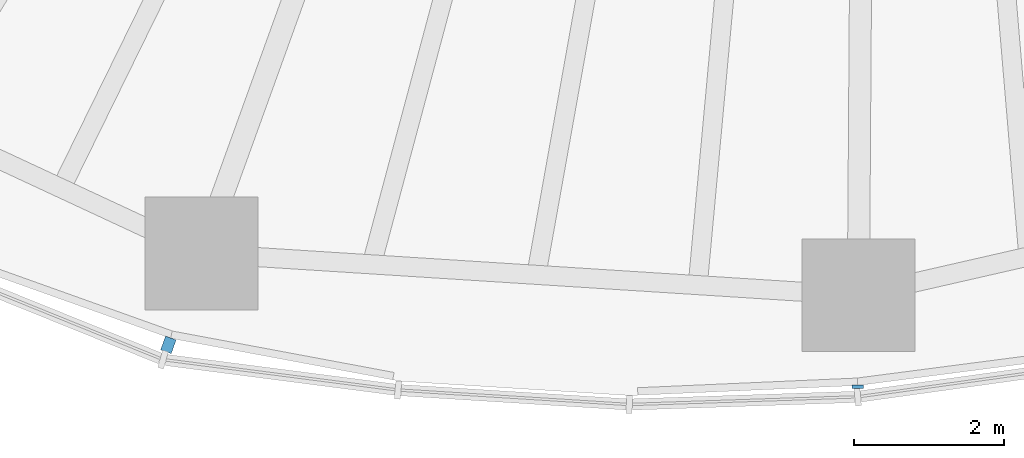
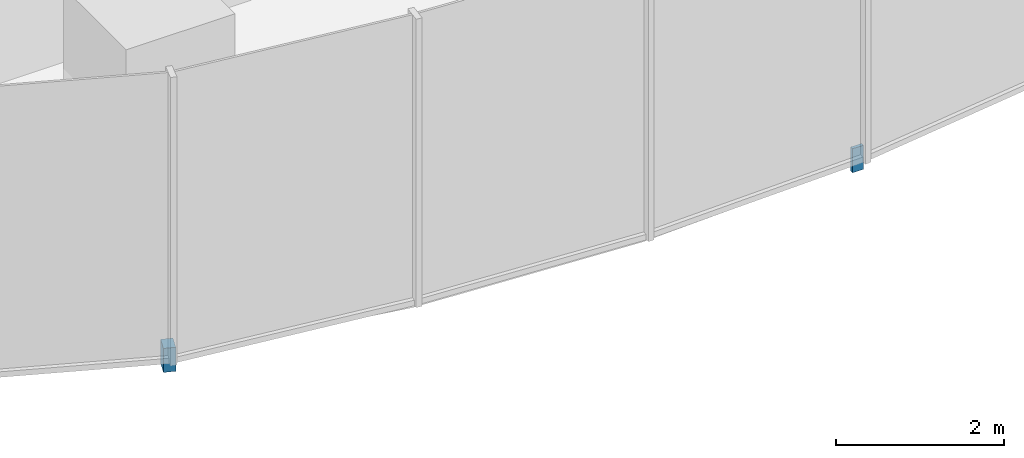
# One storey, part 12 of 18: 2 discrete accessories.
"""IFC4 building model written with IfcOpenShell, lengths in metres."""

from ifc_helpers import new_model, si_unit, direction, frame, origin, origin_2d, place, context, subcontext, project, spatial, rectangle, extrude, material, type_object, element, save


model = new_model("IFC4")

# Units and contexts
model_context = context("Model", 3, precision=1e-05, world=origin(), true_north=direction((0.0, 1.0)))
body_context = subcontext(model_context, "Body", "Model", "MODEL_VIEW")
ifc_project = project(units=[si_unit("LENGTHUNIT", "METRE"), si_unit("AREAUNIT", "SQUARE_METRE"), si_unit("VOLUMEUNIT", "CUBIC_METRE"), si_unit("PLANEANGLEUNIT", "RADIAN"), si_unit("MASSUNIT", "GRAM", prefix="KILO")], contexts=[model_context])

# Site, building, storey
site_placement = place(None, origin())
site = spatial("IfcSite", under=ifc_project, at=site_placement, CompositionType="ELEMENT")
building_placement = place(site_placement, origin())
building = spatial("IfcBuilding", under=site, at=building_placement, Name="Ghaith Harvest Tower", CompositionType="ELEMENT")
storey_placement = place(building_placement, frame((0.0, 0.0, 142.800048828125)))
storey = spatial("IfcBuildingStorey", under=building, at=storey_placement, Name="L30", CompositionType="ELEMENT", Elevation=142.800048828125)

# Discrete accessories
ifc_material_1 = material(Name="Stainless steel grade 1.4401", Category="steel")
discrete_accessory_type_1 = type_object("IfcDiscreteAccessoryType", Name="CURTAIN WALL BRACKET 195", PredefinedType="BRACKET", material=ifc_material_1)
discrete_accessory_1_placement = place(storey_placement, frame((-9.348388671875, -25.883544921875, -0.25), z_axis=(0.0, 0.0, 1.0), x_axis=(-0.33969945263, -0.940534040789, 0.0)))
element("IfcDiscreteAccessory", 1, at=discrete_accessory_1_placement, inside=storey, type_object=discrete_accessory_type_1, Name="CW-L bracket 1 bay 15 L30", PredefinedType="BRACKET", context=body_context, shape_type="SweptSolid", body=[
    extrude(rectangle(XDim=0.195068359375, YDim=0.14990234375, at=origin_2d()), origin(), (0.0, 0.0, 1.0), 0.35009765625),
])
ifc_material_2 = material(Name="Stainless steel grade 1.4401", Category="steel")
discrete_accessory_type_2 = type_object("IfcDiscreteAccessoryType", Name="CURTAIN WALL BRACKET 45", PredefinedType="BRACKET", material=ifc_material_2)
discrete_accessory_2_placement = place(storey_placement, frame((-0.180908203125, -26.441162109375, -0.25), z_axis=(0.0, 0.0, 1.0), x_axis=(-0.006843747957, -0.999976581283, 0.0)))
element("IfcDiscreteAccessory", 2, at=discrete_accessory_2_placement, inside=storey, type_object=discrete_accessory_type_2, Name="CW-L bracket 1 bay 16 L30", PredefinedType="BRACKET", context=body_context, shape_type="SweptSolid", body=[
    extrude(rectangle(XDim=0.044921875, YDim=0.14990234375, at=origin_2d()), origin(), (0.0, 0.0, 1.0), 0.35009765625),
])

save(model, "model.ifc")
